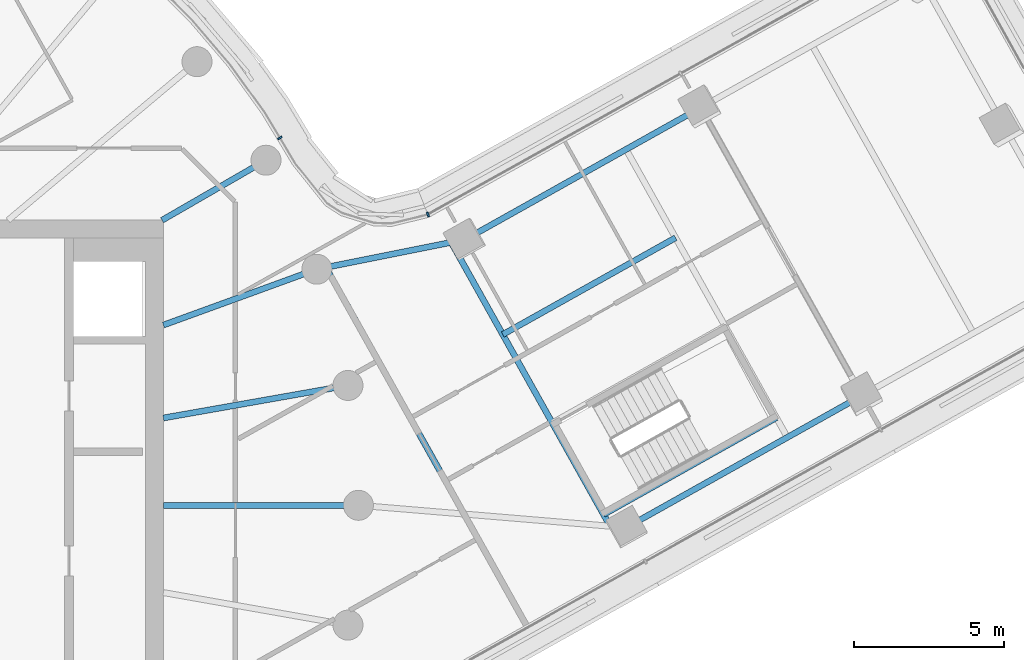
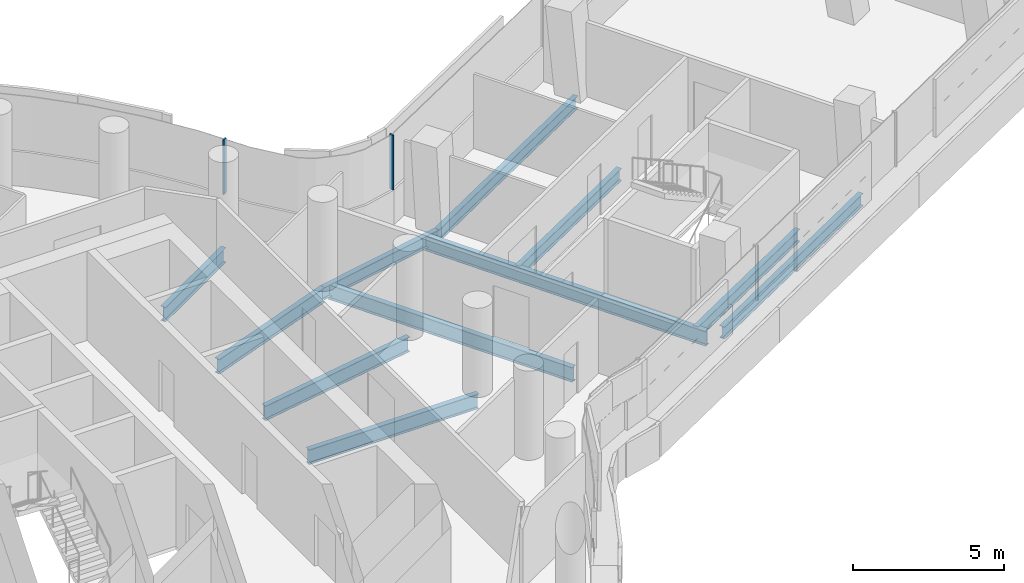
# One storey, part 12 of 34: 11 beams, 2 members, 1 element without a shape of its own.
"""IFC4 building model written with IfcOpenShell, lengths in metres."""

from ifc_helpers import new_model, si_unit, direction, frame, origin, origin_2d, place, context, subcontext, project, spatial, rectangle, i_section, extrude, material, layer, layer_set, material_profile, profile_set, type_object, element, aggregate, save


model = new_model("IFC4")

# Units and contexts
model_context = context("Model", 3, precision=1e-05, world=origin(), true_north=direction((0.0, 1.0)))
body_context = subcontext(model_context, "Body", "Model", "MODEL_VIEW")
ifc_project = project(units=[si_unit("LENGTHUNIT", "METRE"), si_unit("AREAUNIT", "SQUARE_METRE"), si_unit("VOLUMEUNIT", "CUBIC_METRE"), si_unit("PLANEANGLEUNIT", "RADIAN"), si_unit("MASSUNIT", "GRAM", prefix="KILO")], contexts=[model_context])

# Site, building, storey
site_placement = place(None, origin())
site = spatial("IfcSite", under=ifc_project, at=site_placement, CompositionType="ELEMENT")
building_placement = place(site_placement, origin())
building = spatial("IfcBuilding", under=site, at=building_placement, Name="Tamarind Cross Interchange Tower", CompositionType="ELEMENT")
storey_placement = place(building_placement, frame((0.0, 0.0, 140.5)))
storey = spatial("IfcBuildingStorey", under=building, at=storey_placement, Name="L34", CompositionType="ELEMENT", Elevation=140.5)

# Beams
ifc_material_1 = material(Name="Steel Q355B", Category="steel")
ifc_material_profile_1 = material_profile(ifc_material_1, i_section(OverallWidth=0.198974609375, OverallDepth=0.49609375, WebThickness=0.009033203125, FlangeThickness=0.013916015625, FilletRadius=0.012939453125, at=origin_2d()), Name="HN 496x199x9x14")
ifc_profile_set_1 = profile_set([ifc_material_profile_1], Name="Steel Q355B")
beam_type_1 = type_object("IfcBeamType", Name="Composite beam HN 496x199x9x14 Q355B", PredefinedType="BEAM", material=ifc_profile_set_1)
for number, where, z_axis, x_axis, name in (
    (1, (39.78125, 3.65576171875, -0.387939453125), (-0.872456515553, -0.488691751996, 0.0), (0.488691751996, -0.872456515553, 0.0), "Beam E-edgeem6"),
    (2, (34.40576171875, 13.2529296875, -0.387939453125), (-0.872456515553, -0.488691751996, 0.0), (0.488691751996, -0.872456515553, 0.0), "Beam E-edgeep3"),
):
    element("IfcBeam", number, at=place(storey_placement, frame(where, z_axis=z_axis, x_axis=x_axis)), inside=storey, type_object=beam_type_1, Name=name, PredefinedType="BEAM", context=body_context, shape_type="SweptSolid", body=[
        extrude(i_section(OverallWidth=0.198974609375, OverallDepth=0.49609375, WebThickness=0.009033203125, FlangeThickness=0.013916015625, FilletRadius=0.012939453125, at=origin_2d()), origin(), (0.0, 0.0, 1.0), 9.0),
    ])
beam_1_placement = place(storey_placement, frame((26.5537109375, 8.854736328125, -0.387939453125), z_axis=(-0.980575084381, -0.196144089617, 0.0), x_axis=(0.196144089617, -0.980575084381, 0.0)))
element("IfcBeam", 3, at=beam_1_placement, inside=storey, type_object=beam_type_1, Name="Beam E-linkep", PredefinedType="BEAM", context=body_context, shape_type="SweptSolid", body=[
    extrude(i_section(OverallWidth=0.198974609375, OverallDepth=0.49609375, WebThickness=0.009033203125, FlangeThickness=0.013916015625, FilletRadius=0.012939453125, at=origin_2d()), origin(), (0.0, 0.0, 1.0), 5.03857421875),
])
beam_2_placement = place(storey_placement, frame((31.170166015625, -0.307861328125, -0.387939453125), z_axis=(0.872452392813, 0.488699112209, 0.0), x_axis=(-0.488699112209, 0.872452392813, 0.0)))
element("IfcBeam", 4, at=beam_2_placement, inside=storey, type_object=beam_type_1, Name="Beam E-tr0", PredefinedType="BEAM", context=body_context, shape_type="SweptSolid", body=[
    extrude(i_section(OverallWidth=0.198974609375, OverallDepth=0.49609375, WebThickness=0.009033203125, FlangeThickness=0.013916015625, FilletRadius=0.012939453125, at=origin_2d()), origin(), (0.0, 0.0, 1.0), 6.599853515625),
])
beam_3_placement = place(storey_placement, frame((27.810302734375, 5.690185546875, -0.387939453125), z_axis=(0.872461227028, 0.488683340552, 0.0), x_axis=(-0.488683340552, 0.872461227028, 0.0)))
element("IfcBeam", 5, at=beam_3_placement, inside=storey, type_object=beam_type_1, Name="Beam E-stripp", PredefinedType="BEAM", context=body_context, shape_type="SweptSolid", body=[
    extrude(i_section(OverallWidth=0.198974609375, OverallDepth=0.49609375, WebThickness=0.009033203125, FlangeThickness=0.013916015625, FilletRadius=0.012939453125, at=origin_2d()), origin(), (0.0, 0.0, 1.0), 6.60009765625),
])
ifc_material_profile_2 = material_profile(ifc_material_1, i_section(OverallWidth=0.198974609375, OverallDepth=0.595947265625, WebThickness=0.010009765625, FlangeThickness=0.014892578125, FilletRadius=0.012939453125, at=origin_2d()), Name="HN 596x199x10x15")
ifc_profile_set_2 = profile_set([ifc_material_profile_2], Name="Steel Q355B")
beam_type_2 = type_object("IfcBeamType", Name="Composite beam HN 596x199x10x15 Q355B", PredefinedType="BEAM", material=ifc_profile_set_2)
beam_4_placement = place(storey_placement, frame((23.0, 0.0, -0.43798828125), z_axis=(-1.0, 0.0, 0.0), x_axis=(0.0, -1.0, 0.0)))
element("IfcBeam", 6, at=beam_4_placement, inside=storey, type_object=beam_type_2, Name="Beam HH00", PredefinedType="BEAM", context=body_context, shape_type="SweptSolid", body=[
    extrude(i_section(OverallWidth=0.198974609375, OverallDepth=0.595947265625, WebThickness=0.010009765625, FlangeThickness=0.014892578125, FilletRadius=0.012939453125, at=origin_2d()), origin(), (0.0, 0.0, 1.0), 6.5),
])
beam_5_placement = place(storey_placement, frame((22.650634765625, 3.993896484375, -0.43798828125), z_axis=(-0.984809127561, -0.173640382036, 0.0), x_axis=(0.173640382036, -0.984809127561, 0.0)))
element("IfcBeam", 7, at=beam_5_placement, inside=storey, type_object=beam_type_2, Name="Beam HH01", PredefinedType="BEAM", context=body_context, shape_type="SweptSolid", body=[
    extrude(i_section(OverallWidth=0.198974609375, OverallDepth=0.595947265625, WebThickness=0.010009765625, FlangeThickness=0.014892578125, FilletRadius=0.012939453125, at=origin_2d()), origin(), (0.0, 0.0, 1.0), 6.24560546875),
])
beam_6_placement = place(storey_placement, frame((21.613037109375, 7.866455078125, -0.43798828125), z_axis=(-0.939701685589, -0.341995236956, 0.0), x_axis=(0.341995236956, -0.939701685589, 0.0)))
element("IfcBeam", 8, at=beam_6_placement, inside=storey, type_object=beam_type_2, Name="Beam HH02", PredefinedType="BEAM", context=body_context, shape_type="SweptSolid", body=[
    extrude(i_section(OverallWidth=0.198974609375, OverallDepth=0.595947265625, WebThickness=0.010009765625, FlangeThickness=0.014892578125, FilletRadius=0.012939453125, at=origin_2d()), origin(), (0.0, 0.0, 1.0), 5.441162109375),
])
beam_7_placement = place(storey_placement, frame((19.918701171875, 11.5, -0.43798828125), z_axis=(-0.866026010844, -0.49999894854, 0.0), x_axis=(0.49999894854, -0.866026010844, 0.0)))
element("IfcBeam", 9, at=beam_7_placement, inside=storey, type_object=beam_type_2, Name="Beam HH03", PredefinedType="BEAM", context=body_context, shape_type="SweptSolid", body=[
    extrude(i_section(OverallWidth=0.198974609375, OverallDepth=0.595947265625, WebThickness=0.010009765625, FlangeThickness=0.014892578125, FilletRadius=0.012939453125, at=origin_2d()), origin(), (0.0, 0.0, 1.0), 4.0),
])
ifc_material_profile_3 = material_profile(ifc_material_1, i_section(OverallWidth=0.199951171875, OverallDepth=0.60009765625, WebThickness=0.010986328125, FlangeThickness=0.01708984375, FilletRadius=0.012939453125, at=origin_2d()), Name="HN 600x200x11x17")
ifc_profile_set_3 = profile_set([ifc_material_profile_3], Name="Steel Q355B")
beam_type_3 = type_object("IfcBeamType", Name="Composite beam HN 600x200x11x17 Q355B", PredefinedType="BEAM", material=ifc_profile_set_3)
beam_8_placement = place(storey_placement, frame((31.38818359375, -0.697509765625, -0.43994140625), z_axis=(-0.488676048758, 0.87246531127, 0.0), x_axis=(-0.87246531127, -0.488676048758, 0.0)))
element("IfcBeam", 10, at=beam_8_placement, inside=storey, type_object=beam_type_3, Name="Beam E-x298", PredefinedType="BEAM", context=body_context, shape_type="SweptSolid", body=[
    extrude(i_section(OverallWidth=0.199951171875, OverallDepth=0.60009765625, WebThickness=0.010986328125, FlangeThickness=0.01708984375, FilletRadius=0.012939453125, at=origin_2d()), origin(), (0.0, 0.0, 1.0), 10.84228515625),
])
beam_9_placement = place(storey_placement, frame((26.51953125, -0.292724609375, -0.43994140625), z_axis=(-0.48870042272, 0.872451658737, 0.0), x_axis=(-0.872451658737, -0.48870042272, 0.0)))
element("IfcBeam", 11, at=beam_9_placement, inside=storey, type_object=beam_type_3, Name="Beam E-x258", PredefinedType="BEAM", context=body_context, shape_type="SweptSolid", body=[
    extrude(i_section(OverallWidth=0.199951171875, OverallDepth=0.60009765625, WebThickness=0.010986328125, FlangeThickness=0.01708984375, FilletRadius=0.012939453125, at=origin_2d()), origin(), (0.0, 0.0, 1.0), 9.42138671875),
])

# Curtain wall, members
ifc_material_2 = material(Name="Aluminium 6063-T6", Category="aluminium")
ifc_layer = layer(ifc_material_2, 0.159912109375)
ifc_layer_set = layer_set([ifc_layer], Name="Aluminium 6063-T6")
curtain_wall_type = type_object("IfcCurtainWallType", Name="Office curtain wall, 9.0 m bays", PredefinedType="NOTDEFINED", material=ifc_layer_set)
curtain_wall_placement = place(storey_placement, origin())
curtain_wall = element("IfcCurtainWall", 12, at=curtain_wall_placement, inside=storey, type_object=curtain_wall_type, Name="CWS-L34-10", PredefinedType="NOTDEFINED")
ifc_material_profile_4 = material_profile(ifc_material_2, rectangle(XDim=0.06005859375, YDim=0.159912109375, at=origin_2d()), Name="Mullion CW1")
ifc_profile_set_4 = profile_set([ifc_material_profile_4], Name="Aluminium 6063-T6")
member_type = type_object("IfcMemberType", Name="Mullion CW1", PredefinedType="MULLION", material=ifc_profile_set_4)
member_1_placement = place(storey_placement, frame((25.313720703125, 9.69189453125, 1.39990234375), z_axis=(0.0, 0.0, 1.0), x_axis=(-0.930868609327, -0.365354118861, 0.0)))
member_1 = element("IfcMember", 13, at=member_1_placement, type_object=member_type, Name="CWM-L34-10-00", PredefinedType="MULLION", context=body_context, shape_type="SweptSolid", body=[
    extrude(rectangle(XDim=0.06005859375, YDim=0.159912109375, at=origin_2d()), origin(), (0.0, 0.0, 1.0), 2.210205078125),
])
member_2_placement = place(storey_placement, frame((20.380615234375, 12.243408203125, 1.39990234375), z_axis=(0.0, 0.0, 1.0), x_axis=(-0.515577308909, 0.856843065292, 0.0)))
member_2 = element("IfcMember", 14, at=member_2_placement, type_object=member_type, Name="CWM-L34-10-01", PredefinedType="MULLION", context=body_context, shape_type="SweptSolid", body=[
    extrude(rectangle(XDim=0.06005859375, YDim=0.159912109375, at=origin_2d()), origin(), (0.0, 0.0, 1.0), 2.210205078125),
])
aggregate(curtain_wall, [member_1, member_2])

save(model, "model.ifc")
